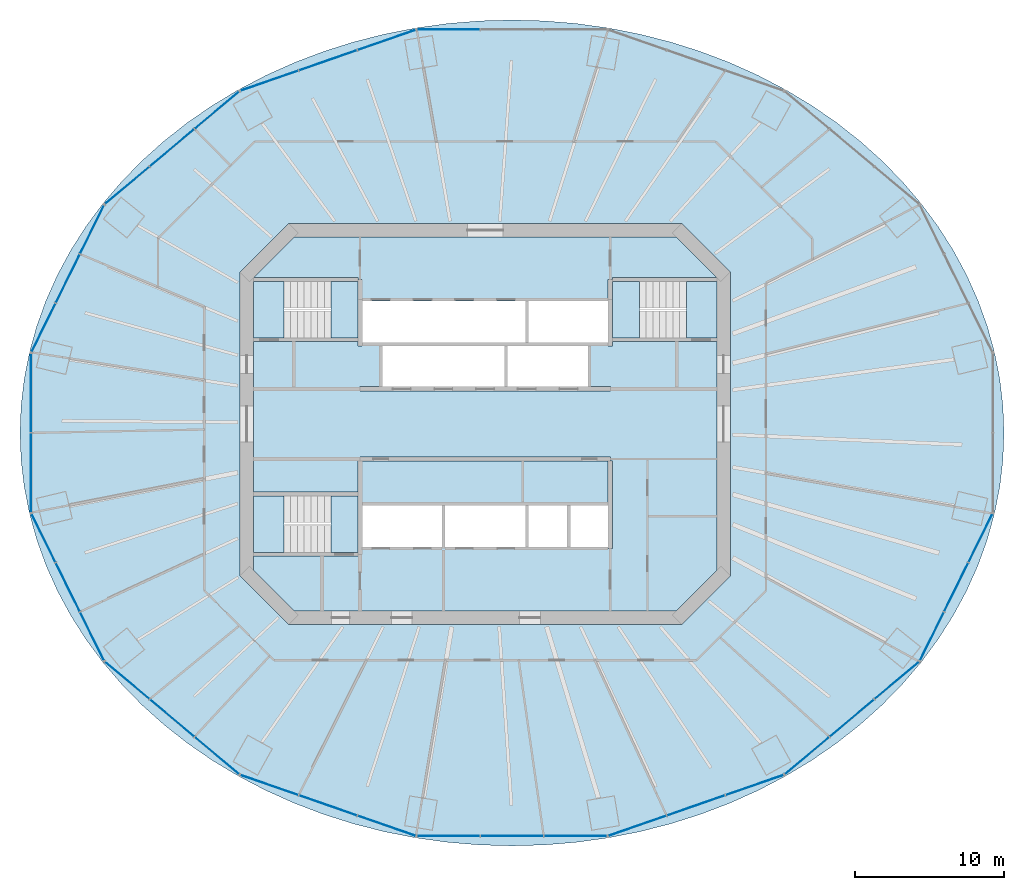
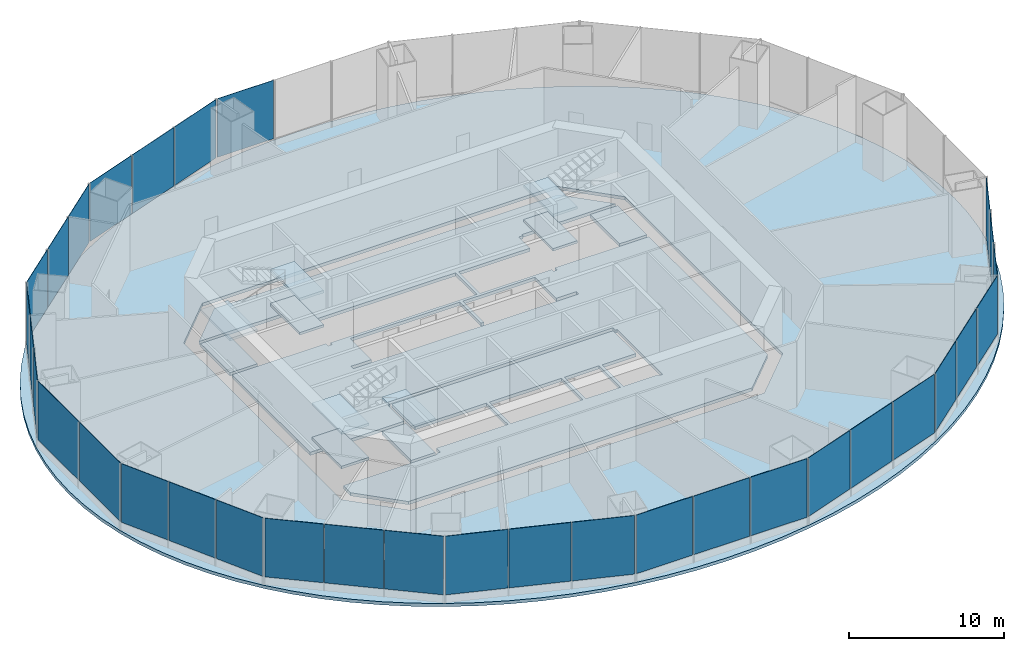
# One storey, part 9 of 15: 33 plates, 13 slabs, 15 elements without a shape of their own.
"""IFC4 building model written with IfcOpenShell, lengths in metres."""

from ifc_helpers import new_model, si_unit, direction, frame, origin, origin_2d, place, context, subcontext, project, spatial, polyline, rectangle, outline, extrude, material, layer, layer_set, type_object, element, aggregate, save


model = new_model("IFC4")

# Units and contexts
model_context = context("Model", 3, precision=1e-05, world=origin(), true_north=direction((0.0, 1.0)))
body_context = subcontext(model_context, "Body", "Model", "MODEL_VIEW")
ifc_project = project(units=[si_unit("LENGTHUNIT", "METRE"), si_unit("AREAUNIT", "SQUARE_METRE"), si_unit("VOLUMEUNIT", "CUBIC_METRE"), si_unit("PLANEANGLEUNIT", "RADIAN"), si_unit("MASSUNIT", "GRAM", prefix="KILO")], contexts=[model_context])

# Site, building, storey
site_placement = place(None, origin())
site = spatial("IfcSite", under=ifc_project, at=site_placement, CompositionType="ELEMENT")
building_placement = place(site_placement, origin())
building = spatial("IfcBuilding", under=site, at=building_placement, Name="Marenthal Gate Tower", CompositionType="ELEMENT")
storey_placement = place(building_placement, frame((0.0, 0.0, 155.64990234375)))
storey = spatial("IfcBuildingStorey", under=building, at=storey_placement, Name="L33", CompositionType="ELEMENT", Elevation=155.64990234375)

# Slabs
ifc_material_1 = material(Name="Concrete 50 MPa", Category="concrete")
ifc_layer_1 = layer(ifc_material_1, 0.25)
ifc_layer_set_1 = layer_set([ifc_layer_1], Name="Core floor slab 250")
slab_type_1 = type_object("IfcSlabType", Name="Core floor slab 250", PredefinedType="FLOOR", material=ifc_layer_set_1)
slab_1_placement = place(storey_placement, frame((0.0, 0.0, -0.25)))
element("IfcSlab", 1, at=slab_1_placement, inside=storey, type_object=slab_type_1, Name="Core floor L33", PredefinedType="FLOOR", context=body_context, shape_type="SweptSolid", body=[
    extrude(outline(polyline([(12.813720703125, -12.550048828125), (-12.813720703125, -12.550048828125), (-15.550048828125, -9.813720703125), (-15.550048828125, -8.875), (-8.550048828125, -8.875), (-8.550048828125, -8.75), (-8.25, -8.75), (-8.25, -8.239990234375), (-5.60009765625, -8.239990234375), (-2.909912109375, -8.239990234375), (-2.909912109375, -5.4599609375), (-5.60009765625, -5.4599609375), (-8.25, -5.4599609375), (-8.25, -2.5), (8.25, -2.5), (8.25, -5.4599609375), (5.7099609375, -5.4599609375), (5.7099609375, -8.239990234375), (8.25, -8.239990234375), (8.25, -8.35009765625), (8.550048828125, -8.35009765625), (8.550048828125, -2.5), (8.39990234375, -2.5), (8.39990234375, -2.199951171875), (-8.39990234375, -2.199951171875), (-8.39990234375, -2.5), (-8.550048828125, -2.5), (-8.550048828125, -4.574951171875), (-15.550048828125, -4.574951171875), (-15.550048828125, 5.52490234375), (-8.550048828125, 5.52490234375), (-8.550048828125, 5.239990234375), (-8.25, 5.239990234375), (-8.25, 5.4599609375), (-5.60009765625, 5.4599609375), (-2.800048828125, 5.4599609375), (0.0, 5.4599609375), (2.68994140625, 5.4599609375), (2.68994140625, 8.239990234375), (0.0, 8.239990234375), (-2.800048828125, 8.239990234375), (-5.60009765625, 8.239990234375), (-8.25, 8.239990234375), (-8.25, 8.35009765625), (-8.25, 9.699951171875), (-8.550048828125, 9.699951171875), (-8.550048828125, 9.824951171875), (-15.53857421875, 9.824951171875), (-12.813720703125, 12.550048828125), (12.813720703125, 12.550048828125), (15.53857421875, 9.824951171875), (8.550048828125, 9.824951171875), (8.550048828125, 9.699951171875), (8.25, 9.699951171875), (8.25, 8.35009765625), (8.25, 8.239990234375), (5.60009765625, 8.239990234375), (2.909912109375, 8.239990234375), (2.909912109375, 5.4599609375), (5.60009765625, 5.4599609375), (8.25, 5.4599609375), (8.25, 5.239990234375), (8.550048828125, 5.239990234375), (8.550048828125, 5.52490234375), (15.550048828125, 5.52490234375), (15.550048828125, -9.813720703125), (12.813720703125, -12.550048828125)]), holes=[polyline([(2.68994140625, -8.239990234375), (2.68994140625, -5.4599609375), (0.0, -5.4599609375), (-2.68994140625, -5.4599609375), (-2.68994140625, -8.239990234375), (0.0, -8.239990234375), (2.68994140625, -8.239990234375)]), polyline([(-6.889892578125, 5.239990234375), (-6.889892578125, 2.5), (-8.39990234375, 2.5), (-8.39990234375, 2.199951171875), (8.39990234375, 2.199951171875), (8.39990234375, 2.5), (6.889892578125, 2.5), (6.889892578125, 5.239990234375), (4.199951171875, 5.239990234375), (1.510009765625, 5.239990234375), (1.510009765625, 2.5), (1.2900390625, 2.5), (1.2900390625, 5.239990234375), (-1.39990234375, 5.239990234375), (-4.199951171875, 5.239990234375), (-6.889892578125, 5.239990234375)]), polyline([(5.489990234375, -5.4599609375), (2.909912109375, -5.4599609375), (2.909912109375, -8.239990234375), (5.489990234375, -8.239990234375), (5.489990234375, -5.4599609375)])]), origin(), (0.0, 0.0, 1.0), 0.25),
])
slab_2_placement = place(storey_placement, frame((0.0, 0.0, -0.25)))
element("IfcSlab", 2, at=slab_2_placement, inside=storey, type_object=slab_type_1, Name="Core floor L33", PredefinedType="FLOOR", context=body_context, shape_type="SweptSolid", body=[
    extrude(outline(polyline([(15.550048828125, 5.77490234375), (13.5, 5.77490234375), (13.5, 9.574951171875), (15.550048828125, 9.574951171875), (15.550048828125, 5.77490234375)])), origin(), (0.0, 0.0, 1.0), 0.25),
])
slab_3_placement = place(storey_placement, frame((0.0, 0.0, -0.25)))
element("IfcSlab", 3, at=slab_3_placement, inside=storey, type_object=slab_type_1, Name="Core floor L33", PredefinedType="FLOOR", context=body_context, shape_type="SweptSolid", body=[
    extrude(outline(polyline([(-15.550048828125, 9.574951171875), (-13.5, 9.574951171875), (-13.5, 5.77490234375), (-15.550048828125, 5.77490234375), (-15.550048828125, 9.574951171875)])), origin(), (0.0, 0.0, 1.0), 0.25),
])
slab_4_placement = place(storey_placement, frame((0.0, 0.0, -0.25)))
element("IfcSlab", 4, at=slab_4_placement, inside=storey, type_object=slab_type_1, Name="Core floor L33", PredefinedType="FLOOR", context=body_context, shape_type="SweptSolid", body=[
    extrude(outline(polyline([(-8.550048828125, -8.625), (-10.35009765625, -8.625), (-10.35009765625, -4.824951171875), (-8.550048828125, -4.824951171875), (-8.550048828125, -8.625)])), origin(), (0.0, 0.0, 1.0), 0.25),
])

# Curtain wall, plate
ifc_material_2 = material(Name="Aluminium and glass", Category="aluminium")
curtain_wall_type = type_object("IfcCurtainWallType", Name="Curtain wall sky lobby", PredefinedType="NOTDEFINED", material=ifc_material_2)
curtain_wall_1_placement = place(storey_placement, origin())
curtain_wall_1 = element("IfcCurtainWall", 5, at=curtain_wall_1_placement, inside=storey, type_object=curtain_wall_type, Name="Curtain wall L33 bay 4", PredefinedType="NOTDEFINED")
ifc_material_3 = material(Name="Glass, laminated insulating unit", Category="glass")
ifc_layer_2 = layer(ifc_material_3, 0.033935546875)
ifc_layer_set_2 = layer_set([ifc_layer_2], Name="Glass panel 34 sky lobby")
plate_type = type_object("IfcPlateType", Name="Glass panel 34 sky lobby", PredefinedType="CURTAIN_PANEL", material=ifc_layer_set_2)
plate_1_placement = place(storey_placement, frame((-2.458740234375, 26.4619140625, 0.60009765625), z_axis=(0.0, 0.0, 1.0), x_axis=(-1.0, 0.0, 0.0)))
plate_1 = element("IfcPlate", 6, at=plate_1_placement, type_object=plate_type, Name="Glass panel L33 bay 4.3", PredefinedType="CURTAIN_PANEL", context=body_context, shape_type="SweptSolid", body=[
    extrude(rectangle(XDim=4.18896484375, YDim=0.033935546875, at=origin_2d()), origin(), (0.0, 0.0, 1.0), 4.6201171875),
])
aggregate(curtain_wall_1, [plate_1])

# Curtain wall, plates
curtain_wall_2_placement = place(storey_placement, origin())
curtain_wall_2 = element("IfcCurtainWall", 7, at=curtain_wall_2_placement, inside=storey, type_object=curtain_wall_type, Name="Curtain wall L33 bay 5", PredefinedType="NOTDEFINED")
plate_2_placement = place(storey_placement, frame((-6.61376953125, 25.7685546875, 0.60009765625), z_axis=(0.0, 0.0, 1.0), x_axis=(-0.944622987868, -0.328157600538, 0.0)))
plate_2 = element("IfcPlate", 8, at=plate_2_placement, type_object=plate_type, Name="Glass panel L33 bay 5.1", PredefinedType="CURTAIN_PANEL", context=body_context, shape_type="SweptSolid", body=[
    extrude(rectangle(XDim=4.094970703125, YDim=0.033935546875, at=origin_2d()), origin(), (0.0, 0.0, 1.0), 4.6201171875),
])
plate_3_placement = place(storey_placement, frame((-10.548095703125, 24.40185546875, 0.60009765625), z_axis=(0.0, 0.0, 1.0), x_axis=(-0.944622987868, -0.328157600538, 0.0)))
plate_3 = element("IfcPlate", 9, at=plate_3_placement, type_object=plate_type, Name="Glass panel L33 bay 5.2", PredefinedType="CURTAIN_PANEL", context=body_context, shape_type="SweptSolid", body=[
    extrude(rectangle(XDim=4.094970703125, YDim=0.033935546875, at=origin_2d()), origin(), (0.0, 0.0, 1.0), 4.6201171875),
])
plate_4_placement = place(storey_placement, frame((-14.482177734375, 23.03515625, 0.60009765625), z_axis=(0.0, 0.0, 1.0), x_axis=(-0.944622987868, -0.328157600538, 0.0)))
plate_4 = element("IfcPlate", 10, at=plate_4_placement, type_object=plate_type, Name="Glass panel L33 bay 5.3", PredefinedType="CURTAIN_PANEL", context=body_context, shape_type="SweptSolid", body=[
    extrude(rectangle(XDim=4.0947265625, YDim=0.033935546875, at=origin_2d()), origin(), (0.0, 0.0, 1.0), 4.6201171875),
])
aggregate(curtain_wall_2, [plate_2, plate_3, plate_4])

curtain_wall_3_placement = place(storey_placement, origin())
curtain_wall_3 = element("IfcCurtainWall", 11, at=curtain_wall_3_placement, inside=storey, type_object=curtain_wall_type, Name="Curtain wall L33 bay 6", PredefinedType="NOTDEFINED")
plate_5_placement = place(storey_placement, frame((-18.005859375, 21.060302734375, 0.60009765625), z_axis=(0.0, 0.0, 1.0), x_axis=(-0.766199855443, -0.642602351007, 0.0)))
plate_5 = element("IfcPlate", 12, at=plate_5_placement, type_object=plate_type, Name="Glass panel L33 bay 6.1", PredefinedType="CURTAIN_PANEL", context=body_context, shape_type="SweptSolid", body=[
    extrude(rectangle(XDim=3.85888671875, YDim=0.033935546875, at=origin_2d()), origin(), (0.0, 0.0, 1.0), 4.6201171875),
])
plate_6_placement = place(storey_placement, frame((-21.01611328125, 18.53564453125, 0.60009765625), z_axis=(0.0, 0.0, 1.0), x_axis=(-0.766199855443, -0.642602351007, 0.0)))
plate_6 = element("IfcPlate", 13, at=plate_6_placement, type_object=plate_type, Name="Glass panel L33 bay 6.2", PredefinedType="CURTAIN_PANEL", context=body_context, shape_type="SweptSolid", body=[
    extrude(rectangle(XDim=3.85888671875, YDim=0.033935546875, at=origin_2d()), origin(), (0.0, 0.0, 1.0), 4.6201171875),
])
plate_7_placement = place(storey_placement, frame((-24.0263671875, 16.010986328125, 0.60009765625), z_axis=(0.0, 0.0, 1.0), x_axis=(-0.766199855443, -0.642602351007, 0.0)))
plate_7 = element("IfcPlate", 14, at=plate_7_placement, type_object=plate_type, Name="Glass panel L33 bay 6.3", PredefinedType="CURTAIN_PANEL", context=body_context, shape_type="SweptSolid", body=[
    extrude(rectangle(XDim=3.85888671875, YDim=0.033935546875, at=origin_2d()), origin(), (0.0, 0.0, 1.0), 4.6201171875),
])
aggregate(curtain_wall_3, [plate_5, plate_6, plate_7])

curtain_wall_4_placement = place(storey_placement, origin())
curtain_wall_4 = element("IfcCurtainWall", 15, at=curtain_wall_4_placement, inside=storey, type_object=curtain_wall_type, Name="Curtain wall L33 bay 7", PredefinedType="NOTDEFINED")
plate_8_placement = place(storey_placement, frame((-26.382080078125, 13.0537109375, 0.60009765625), z_axis=(0.0, 0.0, 1.0), x_axis=(-0.442823615536, -0.896608747182, 0.0)))
plate_8 = element("IfcPlate", 16, at=plate_8_placement, type_object=plate_type, Name="Glass panel L33 bay 7.1", PredefinedType="CURTAIN_PANEL", context=body_context, shape_type="SweptSolid", body=[
    extrude(rectangle(XDim=3.60791015625, YDim=0.033935546875, at=origin_2d()), origin(), (0.0, 0.0, 1.0), 4.6201171875),
])
plate_9_placement = place(storey_placement, frame((-28.0107421875, 9.756103515625, 0.60009765625), z_axis=(0.0, 0.0, 1.0), x_axis=(-0.442823615536, -0.896608747182, 0.0)))
plate_9 = element("IfcPlate", 17, at=plate_9_placement, type_object=plate_type, Name="Glass panel L33 bay 7.2", PredefinedType="CURTAIN_PANEL", context=body_context, shape_type="SweptSolid", body=[
    extrude(rectangle(XDim=3.60791015625, YDim=0.033935546875, at=origin_2d()), origin(), (0.0, 0.0, 1.0), 4.6201171875),
])
plate_10_placement = place(storey_placement, frame((-29.639404296875, 6.45849609375, 0.60009765625), z_axis=(0.0, 0.0, 1.0), x_axis=(-0.442823615536, -0.896608747182, 0.0)))
plate_10 = element("IfcPlate", 18, at=plate_10_placement, type_object=plate_type, Name="Glass panel L33 bay 7.3", PredefinedType="CURTAIN_PANEL", context=body_context, shape_type="SweptSolid", body=[
    extrude(rectangle(XDim=3.60791015625, YDim=0.033935546875, at=origin_2d()), origin(), (0.0, 0.0, 1.0), 4.6201171875),
])
aggregate(curtain_wall_4, [plate_8, plate_9, plate_10])

curtain_wall_5_placement = place(storey_placement, origin())
curtain_wall_5 = element("IfcCurtainWall", 19, at=curtain_wall_5_placement, inside=storey, type_object=curtain_wall_type, Name="Curtain wall L33 bay 8", PredefinedType="NOTDEFINED")
plate_11_placement = place(storey_placement, frame((-30.466796875, 2.076416015625, 0.60009765625), z_axis=(0.0, 0.0, 1.0), x_axis=(0.0, -1.0, 0.0)))
plate_11 = element("IfcPlate", 20, at=plate_11_placement, type_object=plate_type, Name="Glass panel L33 bay 8.1", PredefinedType="CURTAIN_PANEL", context=body_context, shape_type="SweptSolid", body=[
    extrude(rectangle(XDim=5.282958984375, YDim=0.033935546875, at=origin_2d()), origin(), (0.0, 0.0, 1.0), 4.6201171875),
])
plate_12_placement = place(storey_placement, frame((-30.466796875, -3.2763671875, 0.60009765625), z_axis=(0.0, 0.0, 1.0), x_axis=(0.0, -1.0, 0.0)))
plate_12 = element("IfcPlate", 21, at=plate_12_placement, type_object=plate_type, Name="Glass panel L33 bay 8.2", PredefinedType="CURTAIN_PANEL", context=body_context, shape_type="SweptSolid", body=[
    extrude(rectangle(XDim=5.282958984375, YDim=0.033935546875, at=origin_2d()), origin(), (0.0, 0.0, 1.0), 4.6201171875),
])
aggregate(curtain_wall_5, [plate_11, plate_12])

curtain_wall_6_placement = place(storey_placement, origin())
curtain_wall_6 = element("IfcCurtainWall", 22, at=curtain_wall_6_placement, inside=storey, type_object=curtain_wall_type, Name="Curtain wall L33 bay 9", PredefinedType="NOTDEFINED")
plate_13_placement = place(storey_placement, frame((-29.639404296875, -7.65869140625, 0.60009765625), z_axis=(0.0, 0.0, 1.0), x_axis=(0.442823615536, -0.896608747182, 0.0)))
plate_13 = element("IfcPlate", 23, at=plate_13_placement, type_object=plate_type, Name="Glass panel L33 bay 9.1", PredefinedType="CURTAIN_PANEL", context=body_context, shape_type="SweptSolid", body=[
    extrude(rectangle(XDim=3.60791015625, YDim=0.033935546875, at=origin_2d()), origin(), (0.0, 0.0, 1.0), 4.6201171875),
])
plate_14_placement = place(storey_placement, frame((-28.0107421875, -10.9560546875, 0.60009765625), z_axis=(0.0, 0.0, 1.0), x_axis=(0.442823615536, -0.896608747182, 0.0)))
plate_14 = element("IfcPlate", 24, at=plate_14_placement, type_object=plate_type, Name="Glass panel L33 bay 9.2", PredefinedType="CURTAIN_PANEL", context=body_context, shape_type="SweptSolid", body=[
    extrude(rectangle(XDim=3.60791015625, YDim=0.033935546875, at=origin_2d()), origin(), (0.0, 0.0, 1.0), 4.6201171875),
])
plate_15_placement = place(storey_placement, frame((-26.382080078125, -14.253662109375, 0.60009765625), z_axis=(0.0, 0.0, 1.0), x_axis=(0.442823615536, -0.896608747182, 0.0)))
plate_15 = element("IfcPlate", 25, at=plate_15_placement, type_object=plate_type, Name="Glass panel L33 bay 9.3", PredefinedType="CURTAIN_PANEL", context=body_context, shape_type="SweptSolid", body=[
    extrude(rectangle(XDim=3.60791015625, YDim=0.033935546875, at=origin_2d()), origin(), (0.0, 0.0, 1.0), 4.6201171875),
])
aggregate(curtain_wall_6, [plate_13, plate_14, plate_15])

curtain_wall_7_placement = place(storey_placement, origin())
curtain_wall_7 = element("IfcCurtainWall", 26, at=curtain_wall_7_placement, inside=storey, type_object=curtain_wall_type, Name="Curtain wall L33 bay 10", PredefinedType="NOTDEFINED")
plate_16_placement = place(storey_placement, frame((-24.0263671875, -17.2109375, 0.60009765625), z_axis=(0.0, 0.0, 1.0), x_axis=(0.766199855443, -0.642602351007, 0.0)))
plate_16 = element("IfcPlate", 27, at=plate_16_placement, type_object=plate_type, Name="Glass panel L33 bay 10.1", PredefinedType="CURTAIN_PANEL", context=body_context, shape_type="SweptSolid", body=[
    extrude(rectangle(XDim=3.85888671875, YDim=0.033935546875, at=origin_2d()), origin(), (0.0, 0.0, 1.0), 4.6201171875),
])
plate_17_placement = place(storey_placement, frame((-21.01611328125, -19.735595703125, 0.60009765625), z_axis=(0.0, 0.0, 1.0), x_axis=(0.766199855443, -0.642602351007, 0.0)))
plate_17 = element("IfcPlate", 28, at=plate_17_placement, type_object=plate_type, Name="Glass panel L33 bay 10.2", PredefinedType="CURTAIN_PANEL", context=body_context, shape_type="SweptSolid", body=[
    extrude(rectangle(XDim=3.85888671875, YDim=0.033935546875, at=origin_2d()), origin(), (0.0, 0.0, 1.0), 4.6201171875),
])
plate_18_placement = place(storey_placement, frame((-18.005859375, -22.26025390625, 0.60009765625), z_axis=(0.0, 0.0, 1.0), x_axis=(0.766199855443, -0.642602351007, 0.0)))
plate_18 = element("IfcPlate", 29, at=plate_18_placement, type_object=plate_type, Name="Glass panel L33 bay 10.3", PredefinedType="CURTAIN_PANEL", context=body_context, shape_type="SweptSolid", body=[
    extrude(rectangle(XDim=3.85888671875, YDim=0.033935546875, at=origin_2d()), origin(), (0.0, 0.0, 1.0), 4.6201171875),
])
aggregate(curtain_wall_7, [plate_16, plate_17, plate_18])

curtain_wall_8_placement = place(storey_placement, origin())
curtain_wall_8 = element("IfcCurtainWall", 30, at=curtain_wall_8_placement, inside=storey, type_object=curtain_wall_type, Name="Curtain wall L33 bay 11", PredefinedType="NOTDEFINED")
plate_19_placement = place(storey_placement, frame((-14.482177734375, -24.235107421875, 0.60009765625), z_axis=(0.0, 0.0, 1.0), x_axis=(0.944622987868, -0.328157600538, 0.0)))
plate_19 = element("IfcPlate", 31, at=plate_19_placement, type_object=plate_type, Name="Glass panel L33 bay 11.1", PredefinedType="CURTAIN_PANEL", context=body_context, shape_type="SweptSolid", body=[
    extrude(rectangle(XDim=4.094970703125, YDim=0.033935546875, at=origin_2d()), origin(), (0.0, 0.0, 1.0), 4.6201171875),
])
plate_20_placement = place(storey_placement, frame((-10.5478515625, -25.601806640625, 0.60009765625), z_axis=(0.0, 0.0, 1.0), x_axis=(0.944622987868, -0.328157600538, 0.0)))
plate_20 = element("IfcPlate", 32, at=plate_20_placement, type_object=plate_type, Name="Glass panel L33 bay 11.2", PredefinedType="CURTAIN_PANEL", context=body_context, shape_type="SweptSolid", body=[
    extrude(rectangle(XDim=4.094970703125, YDim=0.033935546875, at=origin_2d()), origin(), (0.0, 0.0, 1.0), 4.6201171875),
])
plate_21_placement = place(storey_placement, frame((-6.61376953125, -26.968505859375, 0.60009765625), z_axis=(0.0, 0.0, 1.0), x_axis=(0.944622987868, -0.328157600538, 0.0)))
plate_21 = element("IfcPlate", 33, at=plate_21_placement, type_object=plate_type, Name="Glass panel L33 bay 11.3", PredefinedType="CURTAIN_PANEL", context=body_context, shape_type="SweptSolid", body=[
    extrude(rectangle(XDim=4.0947265625, YDim=0.033935546875, at=origin_2d()), origin(), (0.0, 0.0, 1.0), 4.6201171875),
])
aggregate(curtain_wall_8, [plate_19, plate_20, plate_21])

curtain_wall_9_placement = place(storey_placement, origin())
curtain_wall_9 = element("IfcCurtainWall", 34, at=curtain_wall_9_placement, inside=storey, type_object=curtain_wall_type, Name="Curtain wall L33 bay 12", PredefinedType="NOTDEFINED")
plate_22_placement = place(storey_placement, frame((-2.458740234375, -27.661865234375, 0.60009765625), z_axis=(0.0, 0.0, 1.0), x_axis=(1.0, 0.0, 0.0)))
plate_22 = element("IfcPlate", 35, at=plate_22_placement, type_object=plate_type, Name="Glass panel L33 bay 12.1", PredefinedType="CURTAIN_PANEL", context=body_context, shape_type="SweptSolid", body=[
    extrude(rectangle(XDim=4.18896484375, YDim=0.033935546875, at=origin_2d()), origin(), (0.0, 0.0, 1.0), 4.6201171875),
])
plate_23_placement = place(storey_placement, frame((1.800048828125, -27.661865234375, 0.60009765625), z_axis=(0.0, 0.0, 1.0), x_axis=(1.0, 0.0, 0.0)))
plate_23 = element("IfcPlate", 36, at=plate_23_placement, type_object=plate_type, Name="Glass panel L33 bay 12.2", PredefinedType="CURTAIN_PANEL", context=body_context, shape_type="SweptSolid", body=[
    extrude(rectangle(XDim=4.188720703125, YDim=0.033935546875, at=origin_2d()), origin(), (0.0, 0.0, 1.0), 4.6201171875),
])
plate_24_placement = place(storey_placement, frame((6.058837890625, -27.661865234375, 0.60009765625), z_axis=(0.0, 0.0, 1.0), x_axis=(1.0, 0.0, 0.0)))
plate_24 = element("IfcPlate", 37, at=plate_24_placement, type_object=plate_type, Name="Glass panel L33 bay 12.3", PredefinedType="CURTAIN_PANEL", context=body_context, shape_type="SweptSolid", body=[
    extrude(rectangle(XDim=4.18896484375, YDim=0.033935546875, at=origin_2d()), origin(), (0.0, 0.0, 1.0), 4.6201171875),
])
aggregate(curtain_wall_9, [plate_22, plate_23, plate_24])

curtain_wall_10_placement = place(storey_placement, origin())
curtain_wall_10 = element("IfcCurtainWall", 38, at=curtain_wall_10_placement, inside=storey, type_object=curtain_wall_type, Name="Curtain wall L33 bay 13", PredefinedType="NOTDEFINED")
plate_25_placement = place(storey_placement, frame((10.2138671875, -26.968505859375, 0.60009765625), z_axis=(0.0, 0.0, 1.0), x_axis=(0.944622987868, 0.328157600538, 0.0)))
plate_25 = element("IfcPlate", 39, at=plate_25_placement, type_object=plate_type, Name="Glass panel L33 bay 13.1", PredefinedType="CURTAIN_PANEL", context=body_context, shape_type="SweptSolid", body=[
    extrude(rectangle(XDim=4.094970703125, YDim=0.033935546875, at=origin_2d()), origin(), (0.0, 0.0, 1.0), 4.6201171875),
])
plate_26_placement = place(storey_placement, frame((14.14794921875, -25.601806640625, 0.60009765625), z_axis=(0.0, 0.0, 1.0), x_axis=(0.944622987868, 0.328157600538, 0.0)))
plate_26 = element("IfcPlate", 40, at=plate_26_placement, type_object=plate_type, Name="Glass panel L33 bay 13.2", PredefinedType="CURTAIN_PANEL", context=body_context, shape_type="SweptSolid", body=[
    extrude(rectangle(XDim=4.094970703125, YDim=0.033935546875, at=origin_2d()), origin(), (0.0, 0.0, 1.0), 4.6201171875),
])
plate_27_placement = place(storey_placement, frame((18.082275390625, -24.235107421875, 0.60009765625), z_axis=(0.0, 0.0, 1.0), x_axis=(0.944622987868, 0.328157600538, 0.0)))
plate_27 = element("IfcPlate", 41, at=plate_27_placement, type_object=plate_type, Name="Glass panel L33 bay 13.3", PredefinedType="CURTAIN_PANEL", context=body_context, shape_type="SweptSolid", body=[
    extrude(rectangle(XDim=4.0947265625, YDim=0.033935546875, at=origin_2d()), origin(), (0.0, 0.0, 1.0), 4.6201171875),
])
aggregate(curtain_wall_10, [plate_25, plate_26, plate_27])

curtain_wall_11_placement = place(storey_placement, origin())
curtain_wall_11 = element("IfcCurtainWall", 42, at=curtain_wall_11_placement, inside=storey, type_object=curtain_wall_type, Name="Curtain wall L33 bay 14", PredefinedType="NOTDEFINED")
plate_28_placement = place(storey_placement, frame((21.605712890625, -22.26025390625, 0.60009765625), z_axis=(0.0, 0.0, 1.0), x_axis=(0.766199855443, 0.642602351007, 0.0)))
plate_28 = element("IfcPlate", 43, at=plate_28_placement, type_object=plate_type, Name="Glass panel L33 bay 14.1", PredefinedType="CURTAIN_PANEL", context=body_context, shape_type="SweptSolid", body=[
    extrude(rectangle(XDim=3.85888671875, YDim=0.033935546875, at=origin_2d()), origin(), (0.0, 0.0, 1.0), 4.6201171875),
])
plate_29_placement = place(storey_placement, frame((24.6162109375, -19.735595703125, 0.60009765625), z_axis=(0.0, 0.0, 1.0), x_axis=(0.766199855443, 0.642602351007, 0.0)))
plate_29 = element("IfcPlate", 44, at=plate_29_placement, type_object=plate_type, Name="Glass panel L33 bay 14.2", PredefinedType="CURTAIN_PANEL", context=body_context, shape_type="SweptSolid", body=[
    extrude(rectangle(XDim=3.85888671875, YDim=0.033935546875, at=origin_2d()), origin(), (0.0, 0.0, 1.0), 4.6201171875),
])
plate_30_placement = place(storey_placement, frame((27.62646484375, -17.2109375, 0.60009765625), z_axis=(0.0, 0.0, 1.0), x_axis=(0.766199855443, 0.642602351007, 0.0)))
plate_30 = element("IfcPlate", 45, at=plate_30_placement, type_object=plate_type, Name="Glass panel L33 bay 14.3", PredefinedType="CURTAIN_PANEL", context=body_context, shape_type="SweptSolid", body=[
    extrude(rectangle(XDim=3.85888671875, YDim=0.033935546875, at=origin_2d()), origin(), (0.0, 0.0, 1.0), 4.6201171875),
])
aggregate(curtain_wall_11, [plate_28, plate_29, plate_30])

curtain_wall_12_placement = place(storey_placement, origin())
curtain_wall_12 = element("IfcCurtainWall", 46, at=curtain_wall_12_placement, inside=storey, type_object=curtain_wall_type, Name="Curtain wall L33 bay 15", PredefinedType="NOTDEFINED")
plate_31_placement = place(storey_placement, frame((29.982177734375, -14.253662109375, 0.60009765625), z_axis=(0.0, 0.0, 1.0), x_axis=(0.442823615536, 0.896608747182, 0.0)))
plate_31 = element("IfcPlate", 47, at=plate_31_placement, type_object=plate_type, Name="Glass panel L33 bay 15.1", PredefinedType="CURTAIN_PANEL", context=body_context, shape_type="SweptSolid", body=[
    extrude(rectangle(XDim=3.60791015625, YDim=0.033935546875, at=origin_2d()), origin(), (0.0, 0.0, 1.0), 4.6201171875),
])
plate_32_placement = place(storey_placement, frame((31.610595703125, -10.9560546875, 0.60009765625), z_axis=(0.0, 0.0, 1.0), x_axis=(0.442823615536, 0.896608747182, 0.0)))
plate_32 = element("IfcPlate", 48, at=plate_32_placement, type_object=plate_type, Name="Glass panel L33 bay 15.2", PredefinedType="CURTAIN_PANEL", context=body_context, shape_type="SweptSolid", body=[
    extrude(rectangle(XDim=3.60791015625, YDim=0.033935546875, at=origin_2d()), origin(), (0.0, 0.0, 1.0), 4.6201171875),
])
plate_33_placement = place(storey_placement, frame((33.2392578125, -7.658447265625, 0.60009765625), z_axis=(0.0, 0.0, 1.0), x_axis=(0.442823615536, 0.896608747182, 0.0)))
plate_33 = element("IfcPlate", 49, at=plate_33_placement, type_object=plate_type, Name="Glass panel L33 bay 15.3", PredefinedType="CURTAIN_PANEL", context=body_context, shape_type="SweptSolid", body=[
    extrude(rectangle(XDim=3.60791015625, YDim=0.033935546875, at=origin_2d()), origin(), (0.0, 0.0, 1.0), 4.6201171875),
])
aggregate(curtain_wall_12, [plate_31, plate_32, plate_33])

# Slab
ifc_material_4 = material(Name="Concrete 35 MPa", Category="concrete")
ifc_layer_3 = layer(ifc_material_4, 0.25)
ifc_layer_set_3 = layer_set([ifc_layer_3], Name="Sky lobby floor slab 250")
slab_type_2 = type_object("IfcSlabType", Name="Sky lobby floor slab 250", PredefinedType="FLOOR", material=ifc_layer_set_3)
slab_5_placement = place(storey_placement, frame((0.0, 0.0, -0.25)))
element("IfcSlab", 50, at=slab_5_placement, inside=storey, type_object=slab_type_2, Name="SL-L33-01", PredefinedType="FLOOR", context=body_context, shape_type="SweptSolid", body=[
    extrude(outline(polyline([(34.819091796875, -0.60009765625), (34.748291015625, 1.21240234375), (34.53662109375, 3.01708984375), (34.1845703125, 4.806396484375), (33.69384765625, 6.572509765625), (33.066650390625, 8.3076171875), (32.3056640625, 10.0048828125), (31.413818359375, 11.65673828125), (30.395263671875, 13.256103515625), (29.25439453125, 14.7958984375), (27.99560546875, 16.27001953125), (26.625, 17.671875), (25.14794921875, 18.995361328125), (23.57080078125, 20.235107421875), (21.900634765625, 21.385498046875), (20.144287109375, 22.441650390625), (18.3095703125, 23.3994140625), (16.40380859375, 24.254150390625), (14.435791015625, 25.00244140625), (12.41357421875, 25.641357421875), (10.345947265625, 26.167724609375), (8.24169921875, 26.57958984375), (6.10986328125, 26.875), (3.95947265625, 27.052734375), (1.800048828125, 27.112060546875), (-0.359619140625, 27.052734375), (-2.509765625, 26.875), (-4.6416015625, 26.57958984375), (-6.745849609375, 26.167724609375), (-8.813720703125, 25.641357421875), (-10.835693359375, 25.00244140625), (-12.803955078125, 24.254150390625), (-14.70947265625, 23.3994140625), (-16.54443359375, 22.441650390625), (-18.30078125, 21.385498046875), (-19.970947265625, 20.235107421875), (-21.548095703125, 18.995361328125), (-23.02490234375, 17.671875), (-24.395751953125, 16.27001953125), (-25.654296875, 14.7958984375), (-26.79541015625, 13.256103515625), (-27.813720703125, 11.65673828125), (-28.70556640625, 10.0048828125), (-29.466796875, 8.3076171875), (-30.093994140625, 6.572509765625), (-30.58447265625, 4.806396484375), (-30.9365234375, 3.01708984375), (-31.148193359375, 1.21240234375), (-31.218994140625, -0.60009765625), (-31.148193359375, -2.41259765625), (-30.9365234375, -4.217041015625), (-30.58447265625, -6.00634765625), (-30.093994140625, -7.7724609375), (-29.466796875, -9.5078125), (-28.70556640625, -11.204833984375), (-27.813720703125, -12.856689453125), (-26.79541015625, -14.4560546875), (-25.654296875, -15.99609375), (-24.395751953125, -17.469970703125), (-23.02490234375, -18.871826171875), (-21.548095703125, -20.1953125), (-19.970947265625, -21.43505859375), (-18.30078125, -22.58544921875), (-16.54443359375, -23.6416015625), (-14.70947265625, -24.599365234375), (-12.803955078125, -25.4541015625), (-10.835693359375, -26.202392578125), (-8.813720703125, -26.84130859375), (-6.745849609375, -27.36767578125), (-4.6416015625, -27.779541015625), (-2.509765625, -28.074951171875), (-0.359619140625, -28.252685546875), (1.800048828125, -28.31201171875), (3.95947265625, -28.252685546875), (6.10986328125, -28.074951171875), (8.24169921875, -27.779541015625), (10.345947265625, -27.36767578125), (12.41357421875, -26.84130859375), (14.435791015625, -26.202392578125), (16.40380859375, -25.4541015625), (18.3095703125, -24.599365234375), (20.144287109375, -23.6416015625), (21.900634765625, -22.58544921875), (23.57080078125, -21.43505859375), (25.14794921875, -20.1953125), (26.625, -18.871826171875), (27.99560546875, -17.469970703125), (29.25439453125, -15.99609375), (30.395263671875, -14.4560546875), (31.413818359375, -12.856689453125), (32.3056640625, -11.204833984375), (33.066650390625, -9.5078125), (33.69384765625, -7.7724609375), (34.1845703125, -6.00634765625), (34.53662109375, -4.217041015625), (34.748291015625, -2.41259765625), (34.819091796875, -0.60009765625)]), holes=[polyline([(13.186279296875, -13.449951171875), (16.449951171875, -10.186279296875), (16.449951171875, 10.186279296875), (13.186279296875, 13.449951171875), (-13.186279296875, 13.449951171875), (-16.449951171875, 10.186279296875), (-16.449951171875, -10.186279296875), (-13.186279296875, -13.449951171875), (13.186279296875, -13.449951171875)])]), origin(), (0.0, 0.0, 1.0), 0.25),
])

# Stair, slabs
ifc_material_5 = material(Name="Concrete 40 MPa", Category="concrete")
stair_type = type_object("IfcStairType", Name="Exit stair 1800", PredefinedType="HALF_TURN_STAIR", material=ifc_material_5)
stair_1_placement = place(storey_placement, origin())
stair_1 = element("IfcStair", 51, at=stair_1_placement, inside=storey, type_object=stair_type, Name="Stair ST1", PredefinedType="HALF_TURN_STAIR")
ifc_material_6 = material(Name="Concrete 40 MPa", Category="concrete")
ifc_layer_4 = layer(ifc_material_6, 0.199951171875)
ifc_layer_set_4 = layer_set([ifc_layer_4], Name="Stair landing 200")
slab_type_3 = type_object("IfcSlabType", Name="Stair landing 200", PredefinedType="LANDING", material=ifc_layer_set_4)
slab_6_placement = place(storey_placement, frame((0.0, 0.0, 1.150146484375)))
slab_6 = element("IfcSlab", 52, at=slab_6_placement, type_object=slab_type_3, Name="ST1 landing 1", PredefinedType="LANDING", context=body_context, shape_type="SweptSolid", body=[
    extrude(outline(polyline([(-10.35009765625, 5.77490234375), (-8.550048828125, 5.77490234375), (-8.550048828125, 9.574951171875), (-10.35009765625, 9.574951171875), (-10.35009765625, 5.77490234375)])), origin(), (0.0, 0.0, 1.0), 0.199951171875),
])
slab_7_placement = place(storey_placement, frame((0.0, 0.0, 2.5)))
slab_7 = element("IfcSlab", 53, at=slab_7_placement, type_object=slab_type_3, Name="ST1 landing 2", PredefinedType="LANDING", context=body_context, shape_type="SweptSolid", body=[
    extrude(outline(polyline([(-15.550048828125, 5.77490234375), (-13.5, 5.77490234375), (-13.5, 9.574951171875), (-15.550048828125, 9.574951171875), (-15.550048828125, 5.77490234375)])), origin(), (0.0, 0.0, 1.0), 0.2001953125),
])
slab_8_placement = place(storey_placement, frame((0.0, 0.0, 3.85009765625)))
slab_8 = element("IfcSlab", 54, at=slab_8_placement, type_object=slab_type_3, Name="ST1 landing 3", PredefinedType="LANDING", context=body_context, shape_type="SweptSolid", body=[
    extrude(outline(polyline([(-10.35009765625, 5.77490234375), (-8.550048828125, 5.77490234375), (-8.550048828125, 9.574951171875), (-10.35009765625, 9.574951171875), (-10.35009765625, 5.77490234375)])), origin(), (0.0, 0.0, 1.0), 0.199951171875),
])
aggregate(stair_1, [slab_6, slab_7, slab_8])

stair_2_placement = place(storey_placement, origin())
stair_2 = element("IfcStair", 55, at=stair_2_placement, inside=storey, type_object=stair_type, Name="Stair ST2", PredefinedType="HALF_TURN_STAIR")
slab_9_placement = place(storey_placement, frame((0.0, 0.0, 1.150146484375)))
slab_9 = element("IfcSlab", 56, at=slab_9_placement, type_object=slab_type_3, Name="ST2 landing 1", PredefinedType="LANDING", context=body_context, shape_type="SweptSolid", body=[
    extrude(outline(polyline([(-15.550048828125, -8.625), (-13.5, -8.625), (-13.5, -4.824951171875), (-15.550048828125, -4.824951171875), (-15.550048828125, -8.625)])), origin(), (0.0, 0.0, 1.0), 0.199951171875),
])
slab_10_placement = place(storey_placement, frame((0.0, 0.0, 2.5)))
slab_10 = element("IfcSlab", 57, at=slab_10_placement, type_object=slab_type_3, Name="ST2 landing 2", PredefinedType="LANDING", context=body_context, shape_type="SweptSolid", body=[
    extrude(outline(polyline([(-10.35009765625, -8.625), (-8.550048828125, -8.625), (-8.550048828125, -4.824951171875), (-10.35009765625, -4.824951171875), (-10.35009765625, -8.625)])), origin(), (0.0, 0.0, 1.0), 0.2001953125),
])
slab_11_placement = place(storey_placement, frame((0.0, 0.0, 3.85009765625)))
slab_11 = element("IfcSlab", 58, at=slab_11_placement, type_object=slab_type_3, Name="ST2 landing 3", PredefinedType="LANDING", context=body_context, shape_type="SweptSolid", body=[
    extrude(outline(polyline([(-15.550048828125, -8.625), (-13.5, -8.625), (-13.5, -4.824951171875), (-15.550048828125, -4.824951171875), (-15.550048828125, -8.625)])), origin(), (0.0, 0.0, 1.0), 0.199951171875),
])
aggregate(stair_2, [slab_9, slab_10, slab_11])

stair_3_placement = place(storey_placement, origin())
stair_3 = element("IfcStair", 59, at=stair_3_placement, inside=storey, type_object=stair_type, Name="Stair ST3", PredefinedType="HALF_TURN_STAIR")
slab_12_placement = place(storey_placement, frame((0.0, 0.0, 1.150146484375)))
slab_12 = element("IfcSlab", 60, at=slab_12_placement, type_object=slab_type_3, Name="ST3 landing 1", PredefinedType="LANDING", context=body_context, shape_type="SweptSolid", body=[
    extrude(outline(polyline([(8.550048828125, 5.77490234375), (10.35009765625, 5.77490234375), (10.35009765625, 9.574951171875), (8.550048828125, 9.574951171875), (8.550048828125, 5.77490234375)])), origin(), (0.0, 0.0, 1.0), 0.199951171875),
])
slab_13_placement = place(storey_placement, frame((0.0, 0.0, 3.85009765625)))
slab_13 = element("IfcSlab", 61, at=slab_13_placement, type_object=slab_type_3, Name="ST3 landing 3", PredefinedType="LANDING", context=body_context, shape_type="SweptSolid", body=[
    extrude(outline(polyline([(8.550048828125, 5.77490234375), (10.35009765625, 5.77490234375), (10.35009765625, 9.574951171875), (8.550048828125, 9.574951171875), (8.550048828125, 5.77490234375)])), origin(), (0.0, 0.0, 1.0), 0.199951171875),
])
aggregate(stair_3, [slab_12, slab_13])

save(model, "model.ifc")
